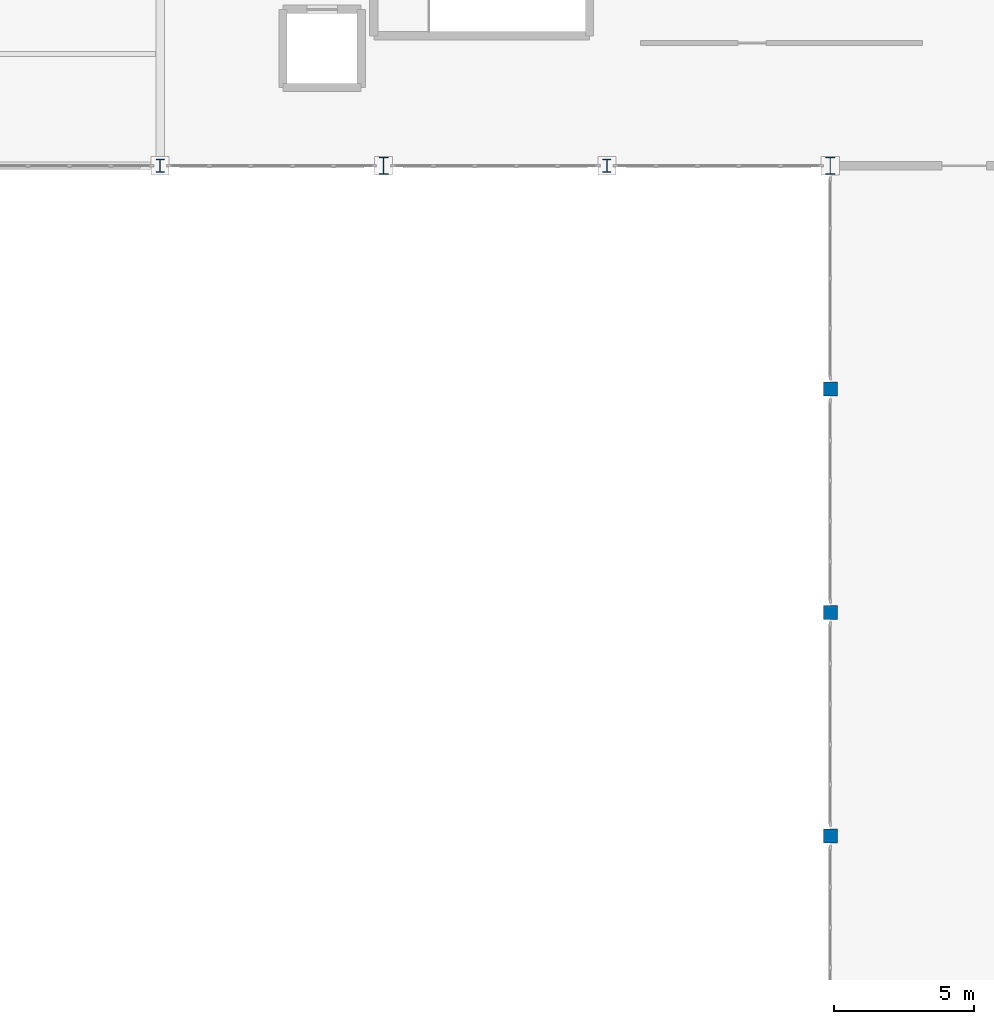
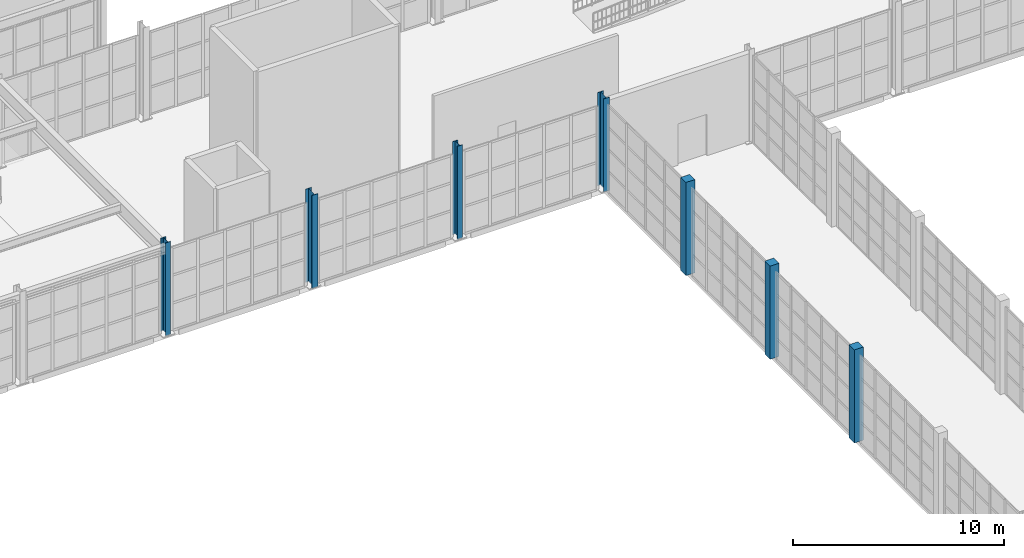
# One storey, part 5 of 82: 7 columns.
"""IFC4 building model written with IfcOpenShell, lengths in metres."""

import ifcopenshell
import ifcopenshell.guid

model = None  # the IFC model being written
_history = None  # IfcOwnerHistory: only IFC2X3 demands one
_inside = {}  # id of a spatial element -> (the spatial element, [elements in it])
_under = {}  # id of a project, library or spatial element -> (it, [spatial elements below it])
_declared = {}  # id of a project -> (the project, [libraries it declares])
_typed = {}  # id of a type object -> (the type object, [elements of that type])
_made_of = {}  # id of a material, layer set ... -> (it, [elements and type objects made of it])


def new_model(schema):
    """Start an empty IFC model of exactly this schema.

    Asked for "IFC4X3", IfcOpenShell would pick the latest addendum, in which some entities
    have other attributes; the version numbers below select the first issue.
    IFC2X3 requires an IfcOwnerHistory on every rooted entity: one is made here for all.
    """
    global model, _history
    if schema == "IFC4X3":
        model = ifcopenshell.file(schema_version=(4, 3, 0, 0))
    else:
        model = ifcopenshell.file(schema=schema)
    _inside.clear()
    _under.clear()
    _declared.clear()
    _typed.clear()
    _made_of.clear()
    _history = None
    if model.schema == "IFC2X3":
        org = make("IfcOrganization", Name="unknown")
        user = make(
            "IfcPersonAndOrganization",
            ThePerson=make("IfcPerson", FamilyName="unknown"),
            TheOrganization=org,
        )
        app = make(
            "IfcApplication",
            ApplicationDeveloper=org,
            Version="unknown",
            ApplicationFullName="unknown",
            ApplicationIdentifier="unknown",
        )
        _history = make(
            "IfcOwnerHistory",
            OwningUser=user,
            OwningApplication=app,
            ChangeAction="ADDED",
            CreationDate=0,
        )
    return model


def make(cls, **values):
    """One entity of the class cls with the attributes given. An attribute that is None is left unset."""
    return model.create_entity(
        cls, **{name: value for name, value in values.items() if value is not None}
    )


def rooted(cls, **values):
    """An entity with a GlobalId (a new one), such as an element, a storey or a relation."""
    return make(cls, GlobalId=ifcopenshell.guid.new(), OwnerHistory=_history, **values)


def si_unit(unit_type, name, prefix=None):
    """IfcSIUnit, for example si_unit("LENGTHUNIT", "METRE", prefix="MILLI")."""
    return make("IfcSIUnit", UnitType=unit_type, Prefix=prefix, Name=name)


def assignment(units):
    """IfcUnitAssignment: the units of a project."""
    return None if units is None else make("IfcUnitAssignment", Units=units)


def point(xyz):
    """IfcCartesianPoint."""
    return None if xyz is None else make("IfcCartesianPoint", Coordinates=xyz)


def direction(xyz):
    """IfcDirection."""
    return None if xyz is None else make("IfcDirection", DirectionRatios=xyz)


def frame(location, z_axis=None, x_axis=None):
    """IfcAxis2Placement3D, a coordinate frame: its origin and axes. An axis left out is left unset."""
    return make(
        "IfcAxis2Placement3D",
        Location=point(location),
        Axis=direction(z_axis),
        RefDirection=direction(x_axis),
    )


def frame_2d(location, x_axis=None):
    """IfcAxis2Placement2D, a coordinate frame in the plane: its origin and x axis."""
    return make(
        "IfcAxis2Placement2D", Location=point(location), RefDirection=direction(x_axis)
    )


def origin():
    """The frame at (0, 0, 0) with its axes left unset."""
    return frame((0.0, 0.0, 0.0))


def origin_2d():
    """The frame at (0, 0) in the plane with its x axis left unset."""
    return frame_2d((0.0, 0.0))


def place(relative_to, where):
    """IfcLocalPlacement: puts the frame where relative to a parent placement (None: the world)."""
    return make(
        "IfcLocalPlacement", PlacementRelTo=relative_to, RelativePlacement=where
    )


def context(
    kind, dimensions, precision=None, world=None, true_north=None, identifier=None
):
    """IfcGeometricRepresentationContext, for example the 3D "Model" context."""
    return make(
        "IfcGeometricRepresentationContext",
        ContextIdentifier=identifier,
        ContextType=kind,
        CoordinateSpaceDimension=dimensions,
        Precision=precision,
        WorldCoordinateSystem=world,
        TrueNorth=true_north,
    )


def subcontext(parent, identifier, kind, view, scale=None):
    """IfcGeometricRepresentationSubContext, for example "Body" below "Model"."""
    return make(
        "IfcGeometricRepresentationSubContext",
        ContextIdentifier=identifier,
        ContextType=kind,
        ParentContext=parent,
        TargetScale=scale,
        TargetView=view,
    )


def project(units=None, contexts=None):
    """IfcProject with its units and contexts."""
    return rooted(
        "IfcProject",
        Name="project",
        RepresentationContexts=contexts,
        UnitsInContext=assignment(units),
    )


def spatial(cls, under=None, at=None, **own):
    """A site, building, storey or space (cls), placed at a placement, below another one or the project."""
    s = rooted(cls, ObjectPlacement=at, **own)
    if under is not None:
        _under.setdefault(under.id(), (under, []))[1].append(s)
    return s


def profile(cls, at=None, kind="AREA", **sizes):
    """A parametric profile (cls). Its sizes go by their IFC names, for example OverallWidth=200.0."""
    return make(cls, ProfileType=kind, Position=at, **sizes)


def rectangle(**sizes):
    """IfcRectangleProfileDef."""
    return profile("IfcRectangleProfileDef", **sizes)


def i_section(**sizes):
    """IfcIShapeProfileDef."""
    return profile("IfcIShapeProfileDef", **sizes)


def extrude(swept, where, along, depth):
    """IfcExtrudedAreaSolid: the profile swept, set in the frame where, extruded along a direction by depth."""
    return make(
        "IfcExtrudedAreaSolid",
        SweptArea=swept,
        Position=where,
        ExtrudedDirection=direction(along),
        Depth=depth,
    )


def shape(context_of_items, identifier, shape_type, items):
    """IfcShapeRepresentation: the items that make up one representation, for example the "Body"."""
    return make(
        "IfcShapeRepresentation",
        ContextOfItems=context_of_items,
        RepresentationIdentifier=identifier,
        RepresentationType=shape_type,
        Items=items,
    )


def material(Name=None, Category=None):
    """IfcMaterial."""
    return make("IfcMaterial", Name=Name, Category=Category)


def material_profile(
    of_material, cross_section, Name=None, Category=None, Priority=None
):
    """IfcMaterialProfile: a cross section and its material."""
    return make(
        "IfcMaterialProfile",
        Name=Name,
        Material=of_material,
        Profile=cross_section,
        Priority=Priority,
        Category=Category,
    )


def profile_set(profiles, Name=None, composite=None):
    """IfcMaterialProfileSet."""
    return make(
        "IfcMaterialProfileSet",
        Name=Name,
        MaterialProfiles=profiles,
        CompositeProfile=composite,
    )


def made_of(thing, what):
    """Note that an element or type object is made of a material, layer set ...; save() writes the relation."""
    if what is not None:
        _made_of.setdefault(what.id(), (what, []))[1].append(thing)
    return thing


def type_object(cls, material=None, **own):
    """A type object (cls), such as IfcWallType, which elements share."""
    return made_of(rooted(cls, **own), material)


def element(
    cls,
    number,
    at=None,
    inside=None,
    cuts=None,
    type_object=None,
    material=None,
    context=None,
    identifier="Body",
    shape_type=None,
    held_by="IfcProductDefinitionShape",
    body=None,
    shapes=None,
    **own,
):
    """One element of the class cls, such as IfcWall. Its Tag is "e" and its number.

    at: its placement. inside: the storey or other place that contains it. cuts: it is an
    opening in that element (IfcRelVoidsElement). A single representation is given by context,
    identifier, shape_type and body (its items); several are given by shapes. held_by: the class
    of the entity that holds the representations. save() writes the other relations.
    """
    e = rooted(cls, Tag="e%d" % number, ObjectPlacement=at, **own)
    if body is not None:
        shapes = [shape(context, identifier, shape_type, body)]
    if shapes is not None:
        e.Representation = make(held_by, Representations=shapes)
    if inside is not None:
        _inside.setdefault(inside.id(), (inside, []))[1].append(e)
    if cuts is not None:
        rooted(
            "IfcRelVoidsElement", RelatingBuildingElement=cuts, RelatedOpeningElement=e
        )
    if type_object is not None:
        _typed.setdefault(type_object.id(), (type_object, []))[1].append(e)
    return made_of(e, material)


def aggregate(whole, parts):
    """IfcRelAggregates: a whole, such as a stair, and the parts it consists of."""
    return rooted("IfcRelAggregates", RelatingObject=whole, RelatedObjects=parts)


def save(model, path):
    """Write the relations noted so far, then the file.

    IfcRelAggregates (storeys below a building ...), IfcRelContainedInSpatialStructure (elements
    in a storey), IfcRelDefinesByType, IfcRelAssociatesMaterial and IfcRelDeclares: one each for
    every whole, place, type object, material and project.
    """
    for whole, parts in _under.values():
        aggregate(whole, parts)
    for where, things in _inside.values():
        rooted(
            "IfcRelContainedInSpatialStructure",
            RelatedElements=things,
            RelatingStructure=where,
        )
    for kind, things in _typed.values():
        rooted("IfcRelDefinesByType", RelatedObjects=things, RelatingType=kind)
    for what, things in _made_of.values():
        rooted("IfcRelAssociatesMaterial", RelatedObjects=things, RelatingMaterial=what)
    for by, libraries in _declared.values():
        rooted("IfcRelDeclares", RelatingContext=by, RelatedDefinitions=libraries)
    model.write(path)


model = new_model("IFC4")

# Units and contexts
model_context = context("Model", 3, precision=1e-05, world=origin(), true_north=direction((0.0, 1.0)))
body_context = subcontext(model_context, "Body", "Model", "MODEL_VIEW")
ifc_project = project(units=[si_unit("LENGTHUNIT", "METRE"), si_unit("AREAUNIT", "SQUARE_METRE"), si_unit("VOLUMEUNIT", "CUBIC_METRE"), si_unit("PLANEANGLEUNIT", "RADIAN"), si_unit("MASSUNIT", "GRAM", prefix="KILO")], contexts=[model_context])

# Site, building, storey
site_placement = place(None, origin())
site = spatial("IfcSite", under=ifc_project, at=site_placement, CompositionType="ELEMENT")
building_placement = place(site_placement, origin())
building = spatial("IfcBuilding", under=site, at=building_placement, Name="Serraluz Foothill Cableway Terminal", CompositionType="ELEMENT")
storey_placement = place(building_placement, frame((0.0, 0.0, 9.60009765625)))
storey = spatial("IfcBuildingStorey", under=building, at=storey_placement, Name="L02", CompositionType="ELEMENT", Elevation=9.60009765625)

# Columns
ifc_material_1 = material(Name="Concrete C35/45 (f'c 35 MPa)", Category="concrete")
ifc_material_profile_1 = material_profile(ifc_material_1, rectangle(XDim=0.5, YDim=0.5, at=origin_2d()), Name="RC 500x500")
ifc_profile_set_1 = profile_set([ifc_material_profile_1], Name="Concrete C35/45 (f'c 35 MPa)")
column_type_1 = type_object("IfcColumnType", Name="TYP-COL-RC500", PredefinedType="COLUMN", material=ifc_profile_set_1)
for number, where, z_axis, x_axis, name in (
    (1, (120.0, 32.0, 0.0), (0.0, 0.0, 1.0), (1.0, 0.0, 0.0), "Column COL-V3-CL-120-32-L02"),
    (2, (120.0, 40.0, 0.0), (0.0, 0.0, 1.0), (1.0, 0.0, 0.0), "Column COL-V3-CL-120-40-L02"),
    (3, (120.0, 48.0, 0.0), (0.0, 0.0, 1.0), (1.0, 0.0, 0.0), "Column COL-V3-CL-120-48-L02"),
):
    element("IfcColumn", number, at=place(storey_placement, frame(where, z_axis=z_axis, x_axis=x_axis)), inside=storey, type_object=column_type_1, Name=name, PredefinedType="COLUMN", context=body_context, shape_type="SweptSolid", body=[
        extrude(rectangle(XDim=0.5, YDim=0.5, at=origin_2d()), origin(), (0.0, 0.0, 1.0), 5.39990234375),
    ])
ifc_material_2 = material(Name="Steel ASTM A992 Grade 50", Category="steel")
ifc_material_profile_2 = material_profile(ifc_material_2, i_section(OverallWidth=0.282958984375, OverallDepth=0.471923828125, WebThickness=0.013671875, FlangeThickness=0.022216796875, FilletRadius=0.014892578125, at=origin_2d()), Name="W18X97")
ifc_profile_set_2 = profile_set([ifc_material_profile_2], Name="Steel ASTM A992 Grade 50")
column_type_2 = type_object("IfcColumnType", Name="TYP-COL-W18X97", PredefinedType="COLUMN", material=ifc_profile_set_2)
for number, where, z_axis, x_axis, name in (
    (4, (96.0, 56.0, 0.0), (0.0, 0.0, 1.0), (1.0, 0.0, 0.0), "Column COL-V1-S-96-L02"),
    (5, (112.0, 56.0, 0.0), (0.0, 0.0, 1.0), (1.0, 0.0, 0.0), "Column COL-V1-S-112-L02"),
):
    element("IfcColumn", number, at=place(storey_placement, frame(where, z_axis=z_axis, x_axis=x_axis)), inside=storey, type_object=column_type_2, Name=name, PredefinedType="COLUMN", context=body_context, shape_type="SweptSolid", body=[
        extrude(i_section(OverallWidth=0.282958984375, OverallDepth=0.471923828125, WebThickness=0.013671875, FlangeThickness=0.022216796875, FilletRadius=0.014892578125, at=origin_2d()), origin(), (0.0, 0.0, 1.0), 5.39990234375),
    ])
ifc_material_profile_3 = material_profile(ifc_material_2, i_section(OverallWidth=0.324951171875, OverallDepth=0.615966796875, WebThickness=0.013916015625, FlangeThickness=0.021484375, FilletRadius=0.01806640625, at=origin_2d()), Name="W24X117")
ifc_profile_set_3 = profile_set([ifc_material_profile_3], Name="Steel ASTM A992 Grade 50")
column_type_3 = type_object("IfcColumnType", Name="TYP-COL-W24X117", PredefinedType="COLUMN", material=ifc_profile_set_3)
for number, where, z_axis, x_axis, name in (
    (6, (104.0, 56.0, 0.0), (0.0, 0.0, 1.0), (1.0, 0.0, 0.0), "Column COL-V1-S-104-L02"),
    (7, (120.0, 56.0, 0.0), (0.0, 0.0, 1.0), (1.0, 0.0, 0.0), "Column COL-V1-S-120-L02"),
):
    element("IfcColumn", number, at=place(storey_placement, frame(where, z_axis=z_axis, x_axis=x_axis)), inside=storey, type_object=column_type_3, Name=name, PredefinedType="COLUMN", context=body_context, shape_type="SweptSolid", body=[
        extrude(i_section(OverallWidth=0.324951171875, OverallDepth=0.615966796875, WebThickness=0.013916015625, FlangeThickness=0.021484375, FilletRadius=0.01806640625, at=origin_2d()), origin(), (0.0, 0.0, 1.0), 5.39990234375),
    ])

save(model, "model.ifc")
